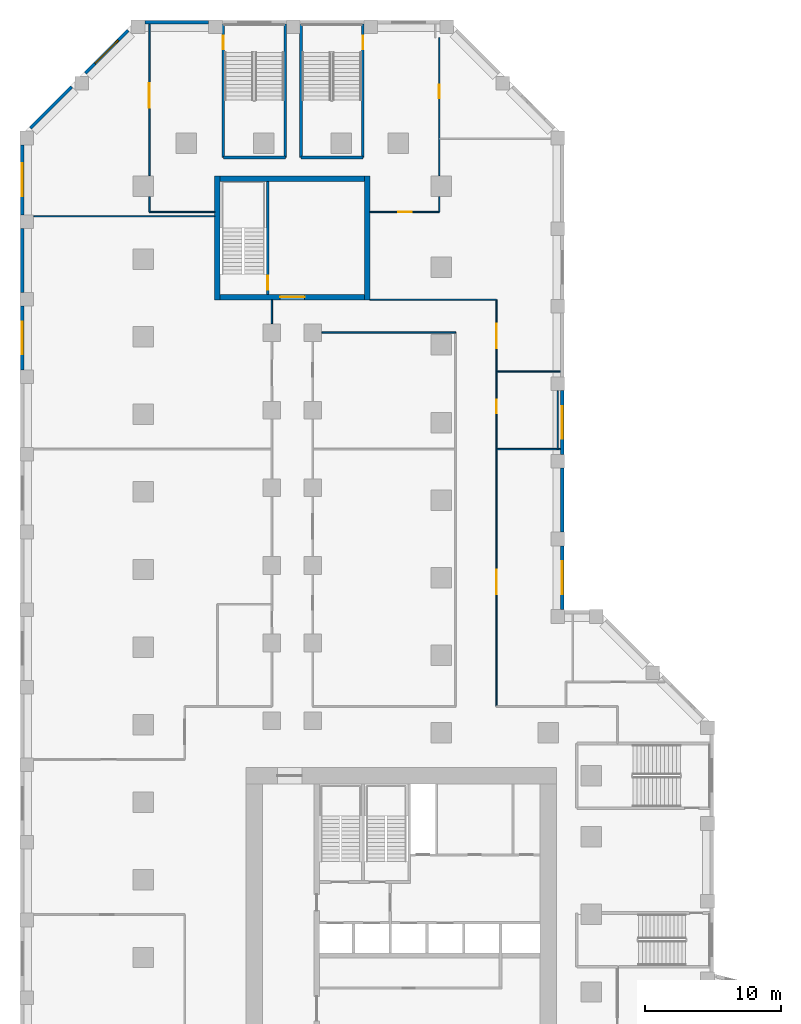
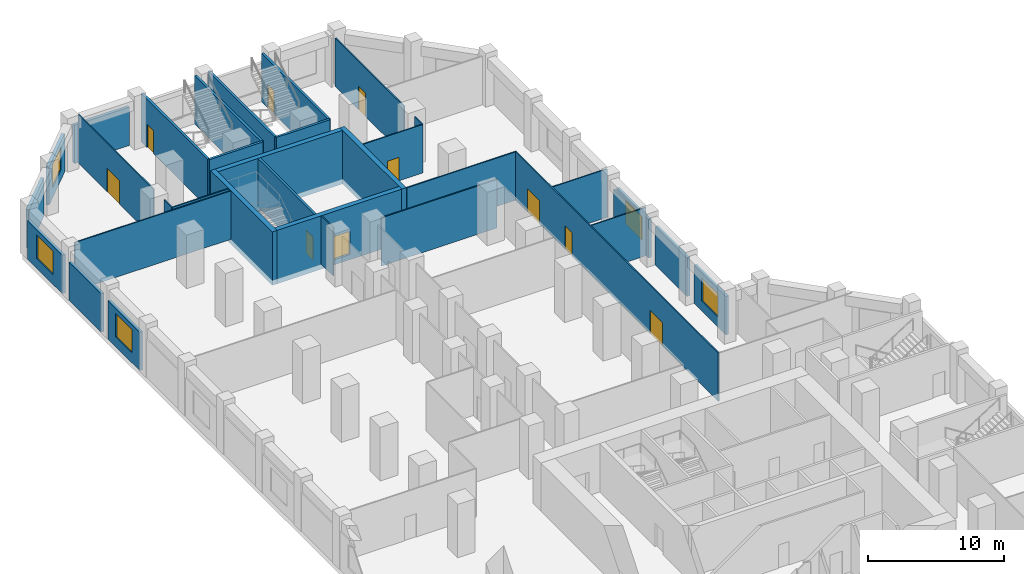
# One storey, part 9 of 15: 34 walls, 10 doors, 5 windows, 15 openings.
"""IFC4 building model written with IfcOpenShell, lengths in metres."""

from ifc_helpers import new_model, si_unit, direction, frame, frame_2d, origin, place, context, subcontext, project, spatial, rectangle, extrude, material, layer, layer_set, type_object, element, fill, save


model = new_model("IFC4")

# Units and contexts
model_context = context("Model", 3, precision=1e-05, world=origin(), true_north=direction((0.0, 1.0)))
body_context = subcontext(model_context, "Body", "Model", "MODEL_VIEW")
ifc_project = project(units=[si_unit("LENGTHUNIT", "METRE"), si_unit("AREAUNIT", "SQUARE_METRE"), si_unit("VOLUMEUNIT", "CUBIC_METRE"), si_unit("PLANEANGLEUNIT", "RADIAN"), si_unit("MASSUNIT", "GRAM", prefix="KILO")], contexts=[model_context])

# Site, building, storey
site_placement = place(None, origin())
site = spatial("IfcSite", under=ifc_project, at=site_placement, CompositionType="ELEMENT")
building_placement = place(site_placement, origin())
building = spatial("IfcBuilding", under=site, at=building_placement, Name="Meshkara Civic Tower", CompositionType="ELEMENT")
storey_placement = place(building_placement, frame((0.0, 0.0, 23.39990234375)))
storey = spatial("IfcBuildingStorey", under=building, at=storey_placement, Name="L04", CompositionType="ELEMENT", Elevation=23.39990234375)

# Walls
ifc_material_1 = material(Name="Corridor wall 100")
ifc_layer_1 = layer(ifc_material_1, 0.10009765625)
ifc_layer_set_1 = layer_set([ifc_layer_1], Name="Corridor wall 100")
wall_type_1 = type_object("IfcWallType", Name="Corridor wall 100", PredefinedType="PARTITIONING", material=ifc_layer_set_1)
wall_1_placement = place(storey_placement, frame((0.89990234375, 77.719970703125, 0.0), z_axis=(0.0, 0.0, 1.0), x_axis=(1.0, 0.0, 0.0)))
element("IfcWall", 1, at=wall_1_placement, inside=storey, type_object=wall_type_1, Name="L04-R003", PredefinedType="PARTITIONING", context=body_context, shape_type="SweptSolid", body=[
    extrude(rectangle(XDim=4.800048828125, YDim=0.10009765625, at=frame_2d((2.39990234375, 0.0))), origin(), (0.0, 0.0, 1.0), 4.35009765625),
])
wall_2_placement = place(storey_placement, frame((0.89990234375, 78.843994140625, 0.0), z_axis=(0.0, 0.0, 1.0), x_axis=(0.0, -1.0, 0.0)))
element("IfcWall", 2, at=wall_2_placement, inside=storey, type_object=wall_type_1, Name="L04-R004", PredefinedType="PARTITIONING", context=body_context, shape_type="SweptSolid", body=[
    extrude(rectangle(XDim=1.1240234375, YDim=0.10009765625, at=frame_2d((0.56201171875, 0.0))), origin(), (0.0, 0.0, 1.0), 4.35009765625),
])

# Wall, opening, door
wall_3_placement = place(storey_placement, frame((0.89990234375, 91.52001953125, 0.0), z_axis=(0.0, 0.0, 1.0), x_axis=(0.0, -1.0, 0.0)))
wall_3 = element("IfcWall", 3, at=wall_3_placement, inside=storey, type_object=wall_type_1, Name="L04-R005", PredefinedType="PARTITIONING", context=body_context, shape_type="SweptSolid", body=[
    extrude(rectangle(XDim=11.135986328125, YDim=0.10009765625, at=frame_2d((5.56787109375, 0.0))), origin(), (0.0, 0.0, 1.0), 4.35009765625),
])
opening_1_placement = place(wall_3_placement, frame((4.330078125, 0.0, 0.0)))
opening_1 = element("IfcOpeningElement", 4, at=opening_1_placement, cuts=wall_3, Name="Opening L04-P037", PredefinedType="OPENING", context=body_context, shape_type="SweptSolid", body=[
    extrude(rectangle(XDim=1.800048828125, YDim=2.10009765625, at=frame_2d((0.89990234375, 1.050048828125))), frame((0.0, 0.06005859375, 0.0), z_axis=(0.0, -1.0, 0.0), x_axis=(1.0, 0.0, 0.0)), (0.0, 0.0, 1.0), 0.1201171875),
])
ifc_material_2 = material(Name="Door pair 1800 x 2100")
door_type_1 = type_object("IfcDoorType", Name="Door pair 1800 x 2100", OperationType="SINGLE_SWING_LEFT", PredefinedType="DOOR", material=ifc_material_2)
door_1_placement = place(opening_1_placement, origin())
door_1 = element("IfcDoor", 5, at=door_1_placement, inside=storey, type_object=door_type_1, Name="L04-P037", OperationType="DOUBLE_DOOR_SINGLE_SWING", OverallHeight=2.10009765625, OverallWidth=1.800048828125, PredefinedType="DOOR", context=body_context, shape_type="SweptSolid", body=[
    extrude(rectangle(XDim=1.800048828125, YDim=2.10009765625, at=frame_2d((0.89990234375, 1.050048828125))), frame((0.0, 0.02490234375, 0.0), z_axis=(0.0, -1.0, 0.0), x_axis=(1.0, 0.0, 0.0)), (0.0, 0.0, 1.0), 0.050048828125),
])
fill(opening_1, door_1)

# Walls
wall_4_placement = place(storey_placement, frame((9.89990234375, 71.27001953125, 0.0), z_axis=(0.0, 0.0, 1.0), x_axis=(0.0, -1.0, 0.0)))
element("IfcWall", 6, at=wall_4_placement, inside=storey, type_object=wall_type_1, Name="L04-R020", PredefinedType="PARTITIONING", context=body_context, shape_type="SweptSolid", body=[
    extrude(rectangle(XDim=1.75, YDim=0.10009765625, at=frame_2d((0.875, 0.0))), origin(), (0.0, 0.0, 1.0), 4.35009765625),
])
wall_5_placement = place(storey_placement, frame((13.570068359375, 68.8701171875, 0.0), z_axis=(0.0, 0.0, 1.0), x_axis=(1.0, 0.0, 0.0)))
element("IfcWall", 7, at=wall_5_placement, inside=storey, type_object=wall_type_1, Name="L04-R031", PredefinedType="PARTITIONING", context=body_context, shape_type="SweptSolid", body=[
    extrude(rectangle(XDim=9.829833984375, YDim=0.10009765625, at=frame_2d((4.9150390625, 0.0))), origin(), (0.0, 0.0, 1.0), 4.35009765625),
])

# Wall, opening, door
wall_6_placement = place(storey_placement, frame((17.10009765625, 77.719970703125, 0.0), z_axis=(0.0, 0.0, 1.0), x_axis=(1.0, 0.0, 0.0)))
wall_6 = element("IfcWall", 8, at=wall_6_placement, inside=storey, type_object=wall_type_1, Name="L04-R034", PredefinedType="PARTITIONING", context=body_context, shape_type="SweptSolid", body=[
    extrude(rectangle(XDim=5.099853515625, YDim=0.10009765625, at=frame_2d((2.5498046875, 0.0))), origin(), (0.0, 0.0, 1.0), 4.35009765625),
])
opening_2_placement = place(wall_6_placement, frame((2.080078125, 0.0, 0.0)))
opening_2 = element("IfcOpeningElement", 9, at=opening_2_placement, cuts=wall_6, Name="Opening L04-P036", PredefinedType="OPENING", context=body_context, shape_type="SweptSolid", body=[
    extrude(rectangle(XDim=1.0, YDim=2.10009765625, at=frame_2d((0.5, 1.050048828125))), frame((0.0, 0.06005859375, 0.0), z_axis=(0.0, -1.0, 0.0), x_axis=(1.0, 0.0, 0.0)), (0.0, 0.0, 1.0), 0.1201171875),
])
ifc_material_3 = material(Name="Door 1000 x 2100")
door_type_2 = type_object("IfcDoorType", Name="Door 1000 x 2100", OperationType="SINGLE_SWING_LEFT", PredefinedType="DOOR", material=ifc_material_3)
door_2_placement = place(opening_2_placement, origin())
door_2 = element("IfcDoor", 10, at=door_2_placement, inside=storey, type_object=door_type_2, Name="L04-P036", OperationType="SINGLE_SWING_LEFT", OverallHeight=2.10009765625, OverallWidth=1.0, PredefinedType="DOOR", context=body_context, shape_type="SweptSolid", body=[
    extrude(rectangle(XDim=1.0, YDim=2.10009765625, at=frame_2d((0.5, 1.050048828125))), frame((0.0, 0.02490234375, 0.0), z_axis=(0.0, -1.0, 0.0), x_axis=(1.0, 0.0, 0.0)), (0.0, 0.0, 1.0), 0.050048828125),
])
fill(opening_2, door_2)

# Wall
wall_7_placement = place(storey_placement, frame((22.199951171875, 77.719970703125, 0.0), z_axis=(0.0, 0.0, 1.0), x_axis=(0.0, 1.0, 0.0)))
element("IfcWall", 11, at=wall_7_placement, inside=storey, type_object=wall_type_1, Name="L04-R037", PredefinedType="PARTITIONING", context=body_context, shape_type="SweptSolid", body=[
    extrude(rectangle(XDim=1.1240234375, YDim=0.10009765625, at=frame_2d((0.56201171875, 0.0))), origin(), (0.0, 0.0, 1.0), 4.35009765625),
])

# Wall, opening, door
wall_8_placement = place(storey_placement, frame((22.199951171875, 80.384033203125, 0.0), z_axis=(0.0, 0.0, 1.0), x_axis=(0.0, 1.0, 0.0)))
wall_8 = element("IfcWall", 12, at=wall_8_placement, inside=storey, type_object=wall_type_1, Name="L04-R038", PredefinedType="PARTITIONING", context=body_context, shape_type="SweptSolid", body=[
    extrude(rectangle(XDim=10.135986328125, YDim=0.10009765625, at=frame_2d((5.06787109375, 0.0))), origin(), (0.0, 0.0, 1.0), 4.35009765625),
])
opening_3_placement = place(wall_8_placement, frame((5.696044921875, 0.0, 0.0)))
opening_3 = element("IfcOpeningElement", 13, at=opening_3_placement, cuts=wall_8, Name="Opening L04-P038", PredefinedType="OPENING", context=body_context, shape_type="SweptSolid", body=[
    extrude(rectangle(XDim=1.0, YDim=2.10009765625, at=frame_2d((0.5, 1.050048828125))), frame((0.0, 0.06005859375, 0.0), z_axis=(0.0, -1.0, 0.0), x_axis=(1.0, 0.0, 0.0)), (0.0, 0.0, 1.0), 0.1201171875),
])
door_3_placement = place(opening_3_placement, origin())
door_3 = element("IfcDoor", 14, at=door_3_placement, inside=storey, type_object=door_type_2, Name="L04-P038", OperationType="SINGLE_SWING_LEFT", OverallHeight=2.10009765625, OverallWidth=1.0, PredefinedType="DOOR", context=body_context, shape_type="SweptSolid", body=[
    extrude(rectangle(XDim=1.0, YDim=2.10009765625, at=frame_2d((0.5, 1.050048828125))), frame((0.0, 0.02490234375, 0.0), z_axis=(0.0, -1.0, 0.0), x_axis=(1.0, 0.0, 0.0)), (0.0, 0.0, 1.0), 0.050048828125),
])
fill(opening_3, door_3)

# Wall, openings, doors
wall_9_placement = place(storey_placement, frame((26.39990234375, 71.27001953125, 0.0), z_axis=(0.0, 0.0, 1.0), x_axis=(0.0, -1.0, 0.0)))
wall_9 = element("IfcWall", 15, at=wall_9_placement, inside=storey, type_object=wall_type_1, Name="L04-R043", PredefinedType="PARTITIONING", context=body_context, shape_type="SweptSolid", body=[
    extrude(rectangle(XDim=29.8701171875, YDim=0.10009765625, at=frame_2d((14.93505859375, 0.0))), origin(), (0.0, 0.0, 1.0), 4.35009765625),
])
opening_4_placement = place(wall_9_placement, frame((19.85009765625, 0.0, 0.0)))
opening_4 = element("IfcOpeningElement", 16, at=opening_4_placement, cuts=wall_9, Name="Opening L04-P030", PredefinedType="OPENING", context=body_context, shape_type="SweptSolid", body=[
    extrude(rectangle(XDim=1.800048828125, YDim=2.10009765625, at=frame_2d((0.89990234375, 1.050048828125))), frame((0.0, 0.06005859375, 0.0), z_axis=(0.0, -1.0, 0.0), x_axis=(1.0, 0.0, 0.0)), (0.0, 0.0, 1.0), 0.1201171875),
])
opening_5_placement = place(wall_9_placement, frame((7.35009765625, 0.0, 0.0)))
opening_5 = element("IfcOpeningElement", 17, at=opening_5_placement, cuts=wall_9, Name="Opening L04-P033", PredefinedType="OPENING", context=body_context, shape_type="SweptSolid", body=[
    extrude(rectangle(XDim=1.0, YDim=2.10009765625, at=frame_2d((0.5, 1.050048828125))), frame((0.0, 0.06005859375, 0.0), z_axis=(0.0, -1.0, 0.0), x_axis=(1.0, 0.0, 0.0)), (0.0, 0.0, 1.0), 0.1201171875),
])
opening_6_placement = place(wall_9_placement, frame((1.780029296875, 0.0, 0.0)))
opening_6 = element("IfcOpeningElement", 18, at=opening_6_placement, cuts=wall_9, Name="Opening L04-P035", PredefinedType="OPENING", context=body_context, shape_type="SweptSolid", body=[
    extrude(rectangle(XDim=1.800048828125, YDim=2.10009765625, at=frame_2d((0.89990234375, 1.050048828125))), frame((0.0, 0.06005859375, 0.0), z_axis=(0.0, -1.0, 0.0), x_axis=(1.0, 0.0, 0.0)), (0.0, 0.0, 1.0), 0.1201171875),
])
door_4_placement = place(opening_5_placement, origin())
door_4 = element("IfcDoor", 19, at=door_4_placement, inside=storey, type_object=door_type_2, Name="L04-P033", OperationType="SINGLE_SWING_LEFT", OverallHeight=2.10009765625, OverallWidth=1.0, PredefinedType="DOOR", context=body_context, shape_type="SweptSolid", body=[
    extrude(rectangle(XDim=1.0, YDim=2.10009765625, at=frame_2d((0.5, 1.050048828125))), frame((0.0, 0.02490234375, 0.0), z_axis=(0.0, -1.0, 0.0), x_axis=(1.0, 0.0, 0.0)), (0.0, 0.0, 1.0), 0.050048828125),
])
fill(opening_5, door_4)
door_5_placement = place(opening_4_placement, origin())
door_5 = element("IfcDoor", 20, at=door_5_placement, inside=storey, type_object=door_type_1, Name="L04-P030", OperationType="DOUBLE_DOOR_SINGLE_SWING", OverallHeight=2.10009765625, OverallWidth=1.800048828125, PredefinedType="DOOR", context=body_context, shape_type="SweptSolid", body=[
    extrude(rectangle(XDim=1.800048828125, YDim=2.10009765625, at=frame_2d((0.89990234375, 1.050048828125))), frame((0.0, 0.02490234375, 0.0), z_axis=(0.0, -1.0, 0.0), x_axis=(1.0, 0.0, 0.0)), (0.0, 0.0, 1.0), 0.050048828125),
])
fill(opening_4, door_5)
door_6_placement = place(opening_6_placement, origin())
door_6 = element("IfcDoor", 21, at=door_6_placement, inside=storey, type_object=door_type_1, Name="L04-P035", OperationType="DOUBLE_DOOR_SINGLE_SWING", OverallHeight=2.10009765625, OverallWidth=1.800048828125, PredefinedType="DOOR", context=body_context, shape_type="SweptSolid", body=[
    extrude(rectangle(XDim=1.800048828125, YDim=2.10009765625, at=frame_2d((0.89990234375, 1.050048828125))), frame((0.0, 0.02490234375, 0.0), z_axis=(0.0, -1.0, 0.0), x_axis=(1.0, 0.0, 0.0)), (0.0, 0.0, 1.0), 0.050048828125),
])
fill(opening_6, door_6)

# Walls
wall_10_placement = place(storey_placement, frame((26.39990234375, 71.27001953125, 0.0), z_axis=(0.0, 0.0, 1.0), x_axis=(-1.0, 0.0, 0.0)))
element("IfcWall", 22, at=wall_10_placement, inside=storey, type_object=wall_type_1, Name="L04-R044", PredefinedType="PARTITIONING", context=body_context, shape_type="SweptSolid", body=[
    extrude(rectangle(XDim=9.2998046875, YDim=0.10009765625, at=frame_2d((4.64990234375, 0.0))), origin(), (0.0, 0.0, 1.0), 4.35009765625),
])
ifc_material_4 = material(Name="Concrete C80", Category="concrete")
ifc_layer_2 = layer(ifc_material_4, 0.39990234375)
ifc_layer_set_2 = layer_set([ifc_layer_2], Name="End core ring wall 400 C80")
wall_type_2 = type_object("IfcWallType", Name="End core ring wall 400 C80", PredefinedType="SHEAR", material=ifc_layer_set_2)
for number, where, z_axis, x_axis, name in (
    (23, (5.89990234375, 71.27001953125, -0.449951171875), (0.0, 0.0, 1.0), (0.0, 1.0, 0.0), "L04-C026"),
    (24, (16.89990234375, 71.27001953125, -0.449951171875), (0.0, 0.0, 1.0), (0.0, 1.0, 0.0), "L04-C027"),
):
    element("IfcWall", number, at=place(storey_placement, frame(where, z_axis=z_axis, x_axis=x_axis)), inside=storey, type_object=wall_type_2, Name=name, PredefinedType="SHEAR", context=body_context, shape_type="SweptSolid", body=[
        extrude(rectangle(XDim=9.10009765625, YDim=0.39990234375, at=frame_2d((4.550048828125, 0.0))), origin(), (0.0, 0.0, 1.0), 4.800048828125),
    ])

# Wall, opening, door
wall_11_placement = place(storey_placement, frame((6.10009765625, 71.469970703125, -0.449951171875), z_axis=(0.0, 0.0, 1.0), x_axis=(1.0, 0.0, 0.0)))
wall_11 = element("IfcWall", 25, at=wall_11_placement, inside=storey, type_object=wall_type_2, Name="L04-C028", PredefinedType="SHEAR", context=body_context, shape_type="SweptSolid", body=[
    extrude(rectangle(XDim=10.599853515625, YDim=0.39990234375, at=frame_2d((5.2998046875, 0.0))), origin(), (0.0, 0.0, 1.0), 4.800048828125),
])
opening_7_placement = place(wall_11_placement, frame((4.39990234375, 0.0, 0.449951171875)))
opening_7 = element("IfcOpeningElement", 26, at=opening_7_placement, cuts=wall_11, Name="Opening L04-K102", PredefinedType="OPENING", context=body_context, shape_type="SweptSolid", body=[
    extrude(rectangle(XDim=1.800048828125, YDim=2.10009765625, at=frame_2d((0.89990234375, 1.050048828125))), frame((0.0, 0.2099609375, 0.0), z_axis=(0.0, -1.0, 0.0), x_axis=(1.0, 0.0, 0.0)), (0.0, 0.0, 1.0), 0.419921875),
])
ifc_material_5 = material(Name="Fire-rated door leaf in steel frame", Category="steel")
door_type_3 = type_object("IfcDoorType", Name="Core double door 1800 EI 60", OperationType="DOUBLE_DOOR_SINGLE_SWING", PredefinedType="DOOR", material=ifc_material_5)
door_7_placement = place(opening_7_placement, origin())
door_7 = element("IfcDoor", 27, at=door_7_placement, inside=storey, type_object=door_type_3, Name="L04-K102", OperationType="DOUBLE_DOOR_SINGLE_SWING", OverallHeight=2.10009765625, OverallWidth=1.800048828125, PredefinedType="DOOR", context=body_context, shape_type="SweptSolid", body=[
    extrude(rectangle(XDim=1.800048828125, YDim=2.10009765625, at=frame_2d((0.89990234375, 1.050048828125))), frame((0.0, 0.02490234375, 0.0), z_axis=(0.0, -1.0, 0.0), x_axis=(1.0, 0.0, 0.0)), (0.0, 0.0, 1.0), 0.050048828125),
])
fill(opening_7, door_7)

# Walls
wall_12_placement = place(storey_placement, frame((6.10009765625, 80.169921875, -0.449951171875), z_axis=(0.0, 0.0, 1.0), x_axis=(1.0, 0.0, 0.0)))
element("IfcWall", 28, at=wall_12_placement, inside=storey, type_object=wall_type_2, Name="L04-C029", PredefinedType="SHEAR", context=body_context, shape_type="SweptSolid", body=[
    extrude(rectangle(XDim=10.599853515625, YDim=0.39990234375, at=frame_2d((5.2998046875, 0.0))), origin(), (0.0, 0.0, 1.0), 4.800048828125),
])
ifc_material_6 = material(Name="Stone cladding on insulated backing wall", Category="masonry")
ifc_layer_3 = layer(ifc_material_6, 0.25)
ifc_layer_set_3 = layer_set([ifc_layer_3], Name="PODIUM STONE WALL 250")
wall_type_3 = type_object("IfcWallType", Name="PODIUM STONE WALL 250", PredefinedType="SOLIDWALL", material=ifc_layer_set_3)
wall_13_placement = place(storey_placement, frame((5.263916015625, 91.64501953125, 0.0), z_axis=(0.0, 0.0, 1.0), x_axis=(-1.0, 0.0, 0.0)))
element("IfcWall", 29, at=wall_13_placement, inside=storey, type_object=wall_type_3, Name="Podium external wall", PredefinedType="SOLIDWALL", context=body_context, shape_type="SweptSolid", body=[
    extrude(rectangle(XDim=4.699951171875, YDim=0.25, at=frame_2d((2.35009765625, 0.0))), origin(), (0.0, 0.0, 1.0), 3.4501953125),
])

# Wall, opening, window
wall_14_placement = place(storey_placement, frame((-0.666015625, 91.050048828125, 0.0), z_axis=(0.0, 0.0, 1.0), x_axis=(-0.707106781187, -0.707106781187, 0.0)))
wall_14 = element("IfcWall", 30, at=wall_14_placement, inside=storey, type_object=wall_type_3, Name="Podium external wall", PredefinedType="SOLIDWALL", context=body_context, shape_type="SweptSolid", body=[
    extrude(rectangle(XDim=4.430908203125, YDim=0.25, at=frame_2d((2.21533203125, 0.0))), origin(), (0.0, 0.0, 1.0), 3.4501953125),
])
opening_8_placement = place(wall_14_placement, frame((1.014892578125, 0.0, 0.89990234375)))
opening_8 = element("IfcOpeningElement", 31, at=opening_8_placement, cuts=wall_14, Name="Opening PW10", PredefinedType="OPENING", context=body_context, shape_type="SweptSolid", body=[
    extrude(rectangle(XDim=2.39990234375, YDim=2.10009765625, at=frame_2d((1.199951171875, 1.050048828125))), frame((0.0, 0.135009765625, 0.0), z_axis=(0.0, -1.0, 0.0), x_axis=(1.0, 0.0, 0.0)), (0.0, 0.0, 1.0), 0.27001953125),
])
ifc_material_7 = material(Name="Tinted double glazing", Category="glass")
window_type = type_object("IfcWindowType", Name="PODIUM WINDOW 2400x2100", PartitioningType="DOUBLE_PANEL_VERTICAL", PredefinedType="WINDOW", material=ifc_material_7)
window_1_placement = place(opening_8_placement, origin())
window_1 = element("IfcWindow", 32, at=window_1_placement, inside=storey, type_object=window_type, Name="Podium window", OverallHeight=2.10009765625, OverallWidth=2.39990234375, PartitioningType="DOUBLE_PANEL_VERTICAL", PredefinedType="WINDOW", context=body_context, shape_type="SweptSolid", body=[
    extrude(rectangle(XDim=2.39990234375, YDim=2.10009765625, at=frame_2d((1.199951171875, 1.050048828125))), frame((0.0, 0.030029296875, 0.0), z_axis=(0.0, -1.0, 0.0), x_axis=(1.0, 0.0, 0.0)), (0.0, 0.0, 1.0), 0.06005859375),
])
fill(opening_8, window_1)

# Wall
wall_15_placement = place(storey_placement, frame((-4.799072265625, 86.9169921875, 0.0), z_axis=(0.0, 0.0, 1.0), x_axis=(-0.707106781187, -0.707106781187, 0.0)))
element("IfcWall", 33, at=wall_15_placement, inside=storey, type_object=wall_type_3, Name="Podium external wall", PredefinedType="SOLIDWALL", context=body_context, shape_type="SweptSolid", body=[
    extrude(rectangle(XDim=4.286376953125, YDim=0.25, at=frame_2d((2.14306640625, 0.0))), origin(), (0.0, 0.0, 1.0), 3.4501953125),
])

# Wall, opening, window
wall_16_placement = place(storey_placement, frame((-8.425048828125, 82.656005859375, 0.0), z_axis=(0.0, 0.0, 1.0), x_axis=(0.0, -1.0, 0.0)))
wall_16 = element("IfcWall", 34, at=wall_16_placement, inside=storey, type_object=wall_type_3, Name="Podium external wall", PredefinedType="SOLIDWALL", context=body_context, shape_type="SweptSolid", body=[
    extrude(rectangle(XDim=5.14501953125, YDim=0.25, at=frame_2d((2.572509765625, 0.0))), origin(), (0.0, 0.0, 1.0), 3.4501953125),
])
opening_9_placement = place(wall_16_placement, frame((1.373046875, 0.0, 0.89990234375)))
opening_9 = element("IfcOpeningElement", 35, at=opening_9_placement, cuts=wall_16, Name="Opening PW10", PredefinedType="OPENING", context=body_context, shape_type="SweptSolid", body=[
    extrude(rectangle(XDim=2.39990234375, YDim=2.10009765625, at=frame_2d((1.199951171875, 1.050048828125))), frame((0.0, 0.135009765625, 0.0), z_axis=(0.0, -1.0, 0.0), x_axis=(1.0, 0.0, 0.0)), (0.0, 0.0, 1.0), 0.27001953125),
])
window_2_placement = place(opening_9_placement, origin())
window_2 = element("IfcWindow", 36, at=window_2_placement, inside=storey, type_object=window_type, Name="Podium window", OverallHeight=2.10009765625, OverallWidth=2.39990234375, PartitioningType="DOUBLE_PANEL_VERTICAL", PredefinedType="WINDOW", context=body_context, shape_type="SweptSolid", body=[
    extrude(rectangle(XDim=2.39990234375, YDim=2.10009765625, at=frame_2d((1.199951171875, 1.050048828125))), frame((0.0, 0.030029296875, 0.0), z_axis=(0.0, -1.0, 0.0), x_axis=(1.0, 0.0, 0.0)), (0.0, 0.0, 1.0), 0.06005859375),
])
fill(opening_9, window_2)

# Wall
wall_17_placement = place(storey_placement, frame((-8.425048828125, 76.510986328125, 0.0), z_axis=(0.0, 0.0, 1.0), x_axis=(0.0, -1.0, 0.0)))
element("IfcWall", 37, at=wall_17_placement, inside=storey, type_object=wall_type_3, Name="Podium external wall", PredefinedType="SOLIDWALL", context=body_context, shape_type="SweptSolid", body=[
    extrude(rectangle(XDim=4.699951171875, YDim=0.25, at=frame_2d((2.35009765625, 0.0))), origin(), (0.0, 0.0, 1.0), 3.4501953125),
])

# Wall, opening, window
wall_18_placement = place(storey_placement, frame((-8.425048828125, 70.81103515625, 0.0), z_axis=(0.0, 0.0, 1.0), x_axis=(0.0, -1.0, 0.0)))
wall_18 = element("IfcWall", 38, at=wall_18_placement, inside=storey, type_object=wall_type_3, Name="Podium external wall", PredefinedType="SOLIDWALL", context=body_context, shape_type="SweptSolid", body=[
    extrude(rectangle(XDim=4.699951171875, YDim=0.25, at=frame_2d((2.35009765625, 0.0))), origin(), (0.0, 0.0, 1.0), 3.4501953125),
])
opening_10_placement = place(wall_18_placement, frame((1.14990234375, 0.0, 0.89990234375)))
opening_10 = element("IfcOpeningElement", 39, at=opening_10_placement, cuts=wall_18, Name="Opening PW10", PredefinedType="OPENING", context=body_context, shape_type="SweptSolid", body=[
    extrude(rectangle(XDim=2.39990234375, YDim=2.10009765625, at=frame_2d((1.199951171875, 1.050048828125))), frame((0.0, 0.135009765625, 0.0), z_axis=(0.0, -1.0, 0.0), x_axis=(1.0, 0.0, 0.0)), (0.0, 0.0, 1.0), 0.27001953125),
])
window_3_placement = place(opening_10_placement, origin())
window_3 = element("IfcWindow", 40, at=window_3_placement, inside=storey, type_object=window_type, Name="Podium window", OverallHeight=2.10009765625, OverallWidth=2.39990234375, PartitioningType="DOUBLE_PANEL_VERTICAL", PredefinedType="WINDOW", context=body_context, shape_type="SweptSolid", body=[
    extrude(rectangle(XDim=2.39990234375, YDim=2.10009765625, at=frame_2d((1.199951171875, 1.050048828125))), frame((0.0, 0.030029296875, 0.0), z_axis=(0.0, -1.0, 0.0), x_axis=(1.0, 0.0, 0.0)), (0.0, 0.0, 1.0), 0.06005859375),
])
fill(opening_10, window_3)

wall_19_placement = place(storey_placement, frame((31.22509765625, 48.5, 0.0), z_axis=(0.0, 0.0, 1.0), x_axis=(0.0, 1.0, 0.0)))
wall_19 = element("IfcWall", 41, at=wall_19_placement, inside=storey, type_object=wall_type_3, Name="Podium external wall", PredefinedType="SOLIDWALL", context=body_context, shape_type="SweptSolid", body=[
    extrude(rectangle(XDim=4.699951171875, YDim=0.25, at=frame_2d((2.35009765625, 0.0))), origin(), (0.0, 0.0, 1.0), 3.4501953125),
])
opening_11_placement = place(wall_19_placement, frame((1.14990234375, 0.0, 0.89990234375)))
opening_11 = element("IfcOpeningElement", 42, at=opening_11_placement, cuts=wall_19, Name="Opening PW10", PredefinedType="OPENING", context=body_context, shape_type="SweptSolid", body=[
    extrude(rectangle(XDim=2.39990234375, YDim=2.10009765625, at=frame_2d((1.199951171875, 1.050048828125))), frame((0.0, 0.135009765625, 0.0), z_axis=(0.0, -1.0, 0.0), x_axis=(1.0, 0.0, 0.0)), (0.0, 0.0, 1.0), 0.27001953125),
])
window_4_placement = place(opening_11_placement, origin())
window_4 = element("IfcWindow", 43, at=window_4_placement, inside=storey, type_object=window_type, Name="Podium window", OverallHeight=2.10009765625, OverallWidth=2.39990234375, PartitioningType="DOUBLE_PANEL_VERTICAL", PredefinedType="WINDOW", context=body_context, shape_type="SweptSolid", body=[
    extrude(rectangle(XDim=2.39990234375, YDim=2.10009765625, at=frame_2d((1.199951171875, 1.050048828125))), frame((0.0, 0.030029296875, 0.0), z_axis=(0.0, -1.0, 0.0), x_axis=(1.0, 0.0, 0.0)), (0.0, 0.0, 1.0), 0.06005859375),
])
fill(opening_11, window_4)

# Wall
wall_20_placement = place(storey_placement, frame((31.22509765625, 54.199951171875, 0.0), z_axis=(0.0, 0.0, 1.0), x_axis=(0.0, 1.0, 0.0)))
element("IfcWall", 44, at=wall_20_placement, inside=storey, type_object=wall_type_3, Name="Podium external wall", PredefinedType="SOLIDWALL", context=body_context, shape_type="SweptSolid", body=[
    extrude(rectangle(XDim=4.699951171875, YDim=0.25, at=frame_2d((2.35009765625, 0.0))), origin(), (0.0, 0.0, 1.0), 3.4501953125),
])

# Wall, opening, window
wall_21_placement = place(storey_placement, frame((31.22509765625, 59.89990234375, 0.0), z_axis=(0.0, 0.0, 1.0), x_axis=(0.0, 1.0, 0.0)))
wall_21 = element("IfcWall", 45, at=wall_21_placement, inside=storey, type_object=wall_type_3, Name="Podium external wall", PredefinedType="SOLIDWALL", context=body_context, shape_type="SweptSolid", body=[
    extrude(rectangle(XDim=4.7001953125, YDim=0.25, at=frame_2d((2.35009765625, 0.0))), origin(), (0.0, 0.0, 1.0), 3.4501953125),
])
opening_12_placement = place(wall_21_placement, frame((1.14990234375, 0.0, 0.89990234375)))
opening_12 = element("IfcOpeningElement", 46, at=opening_12_placement, cuts=wall_21, Name="Opening PW10", PredefinedType="OPENING", context=body_context, shape_type="SweptSolid", body=[
    extrude(rectangle(XDim=2.39990234375, YDim=2.10009765625, at=frame_2d((1.199951171875, 1.050048828125))), frame((0.0, 0.135009765625, 0.0), z_axis=(0.0, -1.0, 0.0), x_axis=(1.0, 0.0, 0.0)), (0.0, 0.0, 1.0), 0.27001953125),
])
window_5_placement = place(opening_12_placement, origin())
window_5 = element("IfcWindow", 47, at=window_5_placement, inside=storey, type_object=window_type, Name="Podium window", OverallHeight=2.10009765625, OverallWidth=2.39990234375, PartitioningType="DOUBLE_PANEL_VERTICAL", PredefinedType="WINDOW", context=body_context, shape_type="SweptSolid", body=[
    extrude(rectangle(XDim=2.39990234375, YDim=2.10009765625, at=frame_2d((1.199951171875, 1.050048828125))), frame((0.0, 0.030029296875, 0.0), z_axis=(0.0, -1.0, 0.0), x_axis=(1.0, 0.0, 0.0)), (0.0, 0.0, 1.0), 0.06005859375),
])
fill(opening_12, window_5)

# Walls
ifc_material_8 = material(Name="Partition 100")
ifc_layer_4 = layer(ifc_material_8, 0.10009765625)
ifc_layer_set_4 = layer_set([ifc_layer_4], Name="Partition 100")
wall_type_4 = type_object("IfcWallType", Name="Partition 100", PredefinedType="PARTITIONING", material=ifc_layer_set_4)
wall_22_placement = place(storey_placement, frame((5.699951171875, 77.39990234375, 0.0), z_axis=(0.0, 0.0, 1.0), x_axis=(-1.0, 0.0, 0.0)))
element("IfcWall", 48, at=wall_22_placement, inside=storey, type_object=wall_type_4, Name="L04-R085", PredefinedType="PARTITIONING", context=body_context, shape_type="SweptSolid", body=[
    extrude(rectangle(XDim=13.280029296875, YDim=0.10009765625, at=frame_2d((6.64013671875, 0.0))), origin(), (0.0, 0.0, 1.0), 4.35009765625),
])
for number, where, z_axis, x_axis, name in (
    (49, (26.449951171875, 66.0, 0.0), (0.0, 0.0, 1.0), (1.0, 0.0, 0.0), "L04-R091"),
    (50, (31.10009765625, 60.300048828125, 0.0), (0.0, 0.0, 1.0), (-1.0, 0.0, 0.0), "L04-R093"),
):
    element("IfcWall", number, at=place(storey_placement, frame(where, z_axis=z_axis, x_axis=x_axis)), inside=storey, type_object=wall_type_4, Name=name, PredefinedType="PARTITIONING", context=body_context, shape_type="SweptSolid", body=[
        extrude(rectangle(XDim=4.650146484375, YDim=0.10009765625, at=frame_2d((2.3251953125, 0.0))), origin(), (0.0, 0.0, 1.0), 4.35009765625),
    ])
wall_23_placement = place(storey_placement, frame((30.89990234375, 64.580078125, 0.0), z_axis=(0.0, 0.0, 1.0), x_axis=(0.0, -1.0, 0.0)))
element("IfcWall", 51, at=wall_23_placement, inside=storey, type_object=wall_type_4, Name="L04-R094", PredefinedType="PARTITIONING", context=body_context, shape_type="SweptSolid", body=[
    extrude(rectangle(XDim=4.280029296875, YDim=0.10009765625, at=frame_2d((2.14013671875, 0.0))), origin(), (0.0, 0.0, 1.0), 3.4501953125),
])

# Wall, opening, door
ifc_material_9 = material(Name="Concrete C40/50", Category="concrete")
ifc_layer_5 = layer(ifc_material_9, 0.199951171875)
ifc_layer_set_5 = layer_set([ifc_layer_5], Name="Stair enclosure wall 200 C40/50")
wall_type_5 = type_object("IfcWallType", Name="Stair enclosure wall 200 C40/50", PredefinedType="SOLIDWALL", material=ifc_layer_set_5)
wall_24_placement = place(storey_placement, frame((9.60009765625, 71.669921875, 0.0), z_axis=(0.0, 0.0, 1.0), x_axis=(0.0, 1.0, 0.0)))
wall_24 = element("IfcWall", 52, at=wall_24_placement, inside=storey, type_object=wall_type_5, Name="L04-C030", PredefinedType="SOLIDWALL", context=body_context, shape_type="SweptSolid", body=[
    extrude(rectangle(XDim=8.300048828125, YDim=0.199951171875, at=frame_2d((4.14990234375, 0.0))), origin(), (0.0, 0.0, 1.0), 4.35009765625),
])
opening_13_placement = place(wall_24_placement, frame((0.35009765625, 0.0, 0.0)))
opening_13 = element("IfcOpeningElement", 53, at=opening_13_placement, cuts=wall_24, Name="Opening L04-K101", PredefinedType="OPENING", context=body_context, shape_type="SweptSolid", body=[
    extrude(rectangle(XDim=1.0, YDim=2.10009765625, at=frame_2d((0.5, 1.050048828125))), frame((0.0, 0.10986328125, 0.0), z_axis=(0.0, -1.0, 0.0), x_axis=(1.0, 0.0, 0.0)), (0.0, 0.0, 1.0), 0.219970703125),
])
ifc_material_10 = material(Name="Fire-rated door leaf in steel frame", Category="steel")
door_type_4 = type_object("IfcDoorType", Name="Stair door 1000 EI 120", OperationType="SINGLE_SWING_LEFT", PredefinedType="DOOR", material=ifc_material_10)
door_8_placement = place(opening_13_placement, origin())
door_8 = element("IfcDoor", 54, at=door_8_placement, inside=storey, type_object=door_type_4, Name="L04-K101", OperationType="SINGLE_SWING_RIGHT", OverallHeight=2.10009765625, OverallWidth=1.0, PredefinedType="DOOR", context=body_context, shape_type="SweptSolid", body=[
    extrude(rectangle(XDim=1.0, YDim=2.10009765625, at=frame_2d((0.5, 1.050048828125))), frame((0.0, 0.02490234375, 0.0), z_axis=(0.0, -1.0, 0.0), x_axis=(1.0, 0.0, 0.0)), (0.0, 0.0, 1.0), 0.050048828125),
])
fill(opening_13, door_8)

wall_25_placement = place(storey_placement, frame((6.3349609375, 81.719970703125, 0.0), z_axis=(0.0, 0.0, 1.0), x_axis=(0.0, 1.0, 0.0)))
wall_25 = element("IfcWall", 55, at=wall_25_placement, inside=storey, type_object=wall_type_5, Name="L04-R013", PredefinedType="SOLIDWALL", context=body_context, shape_type="SweptSolid", body=[
    extrude(rectangle(XDim=9.800048828125, YDim=0.199951171875, at=frame_2d((4.89990234375, 0.0))), origin(), (0.0, 0.0, 1.0), 4.35009765625),
])
opening_14_placement = place(wall_25_placement, frame((7.949951171875, 0.0, 0.0)))
opening_14 = element("IfcOpeningElement", 56, at=opening_14_placement, cuts=wall_25, Name="Opening L04-P039", PredefinedType="OPENING", context=body_context, shape_type="SweptSolid", body=[
    extrude(rectangle(XDim=1.0, YDim=2.10009765625, at=frame_2d((0.5, 1.050048828125))), frame((0.0, 0.10986328125, 0.0), z_axis=(0.0, -1.0, 0.0), x_axis=(1.0, 0.0, 0.0)), (0.0, 0.0, 1.0), 0.219970703125),
])
door_9_placement = place(opening_14_placement, origin())
door_9 = element("IfcDoor", 57, at=door_9_placement, inside=storey, type_object=door_type_2, Name="L04-P039", OperationType="SINGLE_SWING_LEFT", OverallHeight=2.10009765625, OverallWidth=1.0, PredefinedType="DOOR", context=body_context, shape_type="SweptSolid", body=[
    extrude(rectangle(XDim=1.0, YDim=2.10009765625, at=frame_2d((0.5, 1.050048828125))), frame((0.0, 0.02490234375, 0.0), z_axis=(0.0, -1.0, 0.0), x_axis=(1.0, 0.0, 0.0)), (0.0, 0.0, 1.0), 0.050048828125),
])
fill(opening_14, door_9)

# Walls
wall_26_placement = place(storey_placement, frame((10.885009765625, 81.719970703125, 0.0), z_axis=(0.0, 0.0, 1.0), x_axis=(-1.0, 0.0, 0.0)))
element("IfcWall", 58, at=wall_26_placement, inside=storey, type_object=wall_type_5, Name="L04-R022", PredefinedType="SOLIDWALL", context=body_context, shape_type="SweptSolid", body=[
    extrude(rectangle(XDim=4.550048828125, YDim=0.199951171875, at=frame_2d((2.27490234375, 0.0))), origin(), (0.0, 0.0, 1.0), 4.35009765625),
])
for number, where, z_axis, x_axis, name in (
    (59, (10.885009765625, 91.52001953125, 0.0), (0.0, 0.0, 1.0), (0.0, -1.0, 0.0), "L04-R023"),
    (60, (12.034912109375, 81.719970703125, 0.0), (0.0, 0.0, 1.0), (0.0, 1.0, 0.0), "L04-R025"),
):
    element("IfcWall", number, at=place(storey_placement, frame(where, z_axis=z_axis, x_axis=x_axis)), inside=storey, type_object=wall_type_5, Name=name, PredefinedType="SOLIDWALL", context=body_context, shape_type="SweptSolid", body=[
        extrude(rectangle(XDim=9.800048828125, YDim=0.199951171875, at=frame_2d((4.89990234375, 0.0))), origin(), (0.0, 0.0, 1.0), 4.35009765625),
    ])
wall_27_placement = place(storey_placement, frame((16.5849609375, 81.719970703125, 0.0), z_axis=(0.0, 0.0, 1.0), x_axis=(-1.0, 0.0, 0.0)))
element("IfcWall", 61, at=wall_27_placement, inside=storey, type_object=wall_type_5, Name="L04-R032", PredefinedType="SOLIDWALL", context=body_context, shape_type="SweptSolid", body=[
    extrude(rectangle(XDim=4.550048828125, YDim=0.199951171875, at=frame_2d((2.27490234375, 0.0))), origin(), (0.0, 0.0, 1.0), 4.35009765625),
])

# Wall, opening, door
wall_28_placement = place(storey_placement, frame((16.5849609375, 91.52001953125, 0.0), z_axis=(0.0, 0.0, 1.0), x_axis=(0.0, -1.0, 0.0)))
wall_28 = element("IfcWall", 62, at=wall_28_placement, inside=storey, type_object=wall_type_5, Name="L04-R033", PredefinedType="SOLIDWALL", context=body_context, shape_type="SweptSolid", body=[
    extrude(rectangle(XDim=9.800048828125, YDim=0.199951171875, at=frame_2d((4.89990234375, 0.0))), origin(), (0.0, 0.0, 1.0), 4.35009765625),
])
opening_15_placement = place(wall_28_placement, frame((0.85009765625, 0.0, 0.0)))
opening_15 = element("IfcOpeningElement", 63, at=opening_15_placement, cuts=wall_28, Name="Opening L04-P040", PredefinedType="OPENING", context=body_context, shape_type="SweptSolid", body=[
    extrude(rectangle(XDim=1.0, YDim=2.10009765625, at=frame_2d((0.5, 1.050048828125))), frame((0.0, 0.10986328125, 0.0), z_axis=(0.0, -1.0, 0.0), x_axis=(1.0, 0.0, 0.0)), (0.0, 0.0, 1.0), 0.219970703125),
])
door_10_placement = place(opening_15_placement, origin())
door_10 = element("IfcDoor", 64, at=door_10_placement, inside=storey, type_object=door_type_2, Name="L04-P040", OperationType="SINGLE_SWING_LEFT", OverallHeight=2.10009765625, OverallWidth=1.0, PredefinedType="DOOR", context=body_context, shape_type="SweptSolid", body=[
    extrude(rectangle(XDim=1.0, YDim=2.10009765625, at=frame_2d((0.5, 1.050048828125))), frame((0.0, 0.02490234375, 0.0), z_axis=(0.0, -1.0, 0.0), x_axis=(1.0, 0.0, 0.0)), (0.0, 0.0, 1.0), 0.050048828125),
])
fill(opening_15, door_10)

save(model, "model.ifc")
